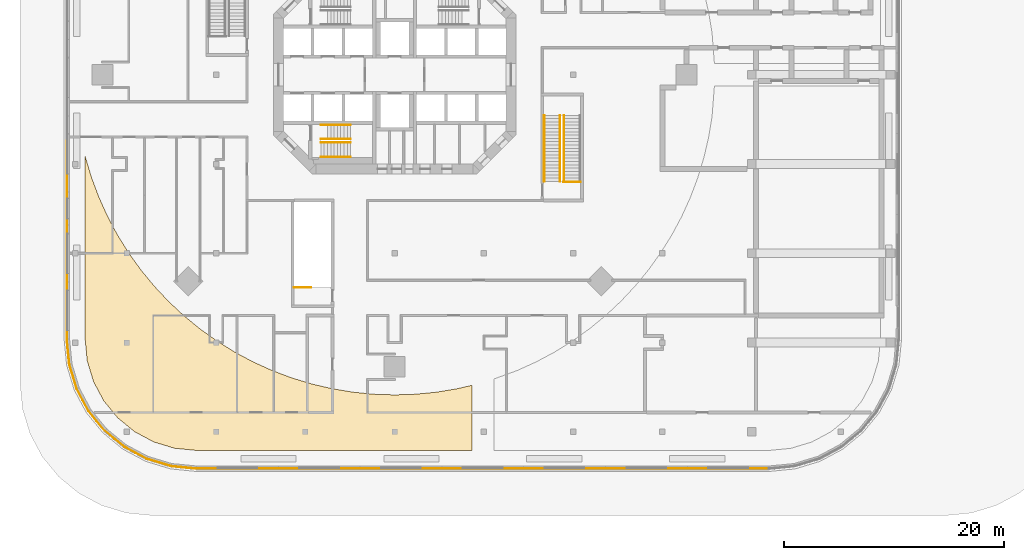
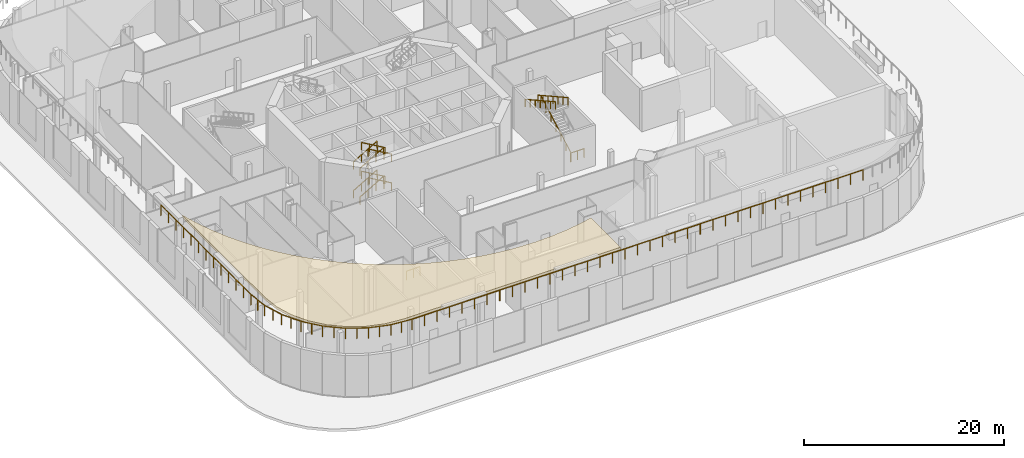
# One storey, part 15 of 17: 33 railings, 1 covering, 1 element without a shape of its own.
"""IFC4 building model written with IfcOpenShell, lengths in metres."""

import ifcopenshell
import ifcopenshell.guid

model = None  # the IFC model being written
_history = None  # IfcOwnerHistory: only IFC2X3 demands one
_inside = {}  # id of a spatial element -> (the spatial element, [elements in it])
_under = {}  # id of a project, library or spatial element -> (it, [spatial elements below it])
_declared = {}  # id of a project -> (the project, [libraries it declares])
_typed = {}  # id of a type object -> (the type object, [elements of that type])
_made_of = {}  # id of a material, layer set ... -> (it, [elements and type objects made of it])


def new_model(schema):
    """Start an empty IFC model of exactly this schema.

    Asked for "IFC4X3", IfcOpenShell would pick the latest addendum, in which some entities
    have other attributes; the version numbers below select the first issue.
    IFC2X3 requires an IfcOwnerHistory on every rooted entity: one is made here for all.
    """
    global model, _history
    if schema == "IFC4X3":
        model = ifcopenshell.file(schema_version=(4, 3, 0, 0))
    else:
        model = ifcopenshell.file(schema=schema)
    _inside.clear()
    _under.clear()
    _declared.clear()
    _typed.clear()
    _made_of.clear()
    _history = None
    if model.schema == "IFC2X3":
        org = make("IfcOrganization", Name="unknown")
        user = make(
            "IfcPersonAndOrganization",
            ThePerson=make("IfcPerson", FamilyName="unknown"),
            TheOrganization=org,
        )
        app = make(
            "IfcApplication",
            ApplicationDeveloper=org,
            Version="unknown",
            ApplicationFullName="unknown",
            ApplicationIdentifier="unknown",
        )
        _history = make(
            "IfcOwnerHistory",
            OwningUser=user,
            OwningApplication=app,
            ChangeAction="ADDED",
            CreationDate=0,
        )
    return model


def make(cls, **values):
    """One entity of the class cls with the attributes given. An attribute that is None is left unset."""
    return model.create_entity(
        cls, **{name: value for name, value in values.items() if value is not None}
    )


def rooted(cls, **values):
    """An entity with a GlobalId (a new one), such as an element, a storey or a relation."""
    return make(cls, GlobalId=ifcopenshell.guid.new(), OwnerHistory=_history, **values)


def si_unit(unit_type, name, prefix=None):
    """IfcSIUnit, for example si_unit("LENGTHUNIT", "METRE", prefix="MILLI")."""
    return make("IfcSIUnit", UnitType=unit_type, Prefix=prefix, Name=name)


def assignment(units):
    """IfcUnitAssignment: the units of a project."""
    return None if units is None else make("IfcUnitAssignment", Units=units)


def point(xyz):
    """IfcCartesianPoint."""
    return None if xyz is None else make("IfcCartesianPoint", Coordinates=xyz)


def direction(xyz):
    """IfcDirection."""
    return None if xyz is None else make("IfcDirection", DirectionRatios=xyz)


def frame(location, z_axis=None, x_axis=None):
    """IfcAxis2Placement3D, a coordinate frame: its origin and axes. An axis left out is left unset."""
    return make(
        "IfcAxis2Placement3D",
        Location=point(location),
        Axis=direction(z_axis),
        RefDirection=direction(x_axis),
    )


def frame_2d(location, x_axis=None):
    """IfcAxis2Placement2D, a coordinate frame in the plane: its origin and x axis."""
    return make(
        "IfcAxis2Placement2D", Location=point(location), RefDirection=direction(x_axis)
    )


def origin():
    """The frame at (0, 0, 0) with its axes left unset."""
    return frame((0.0, 0.0, 0.0))


def origin_2d():
    """The frame at (0, 0) in the plane with its x axis left unset."""
    return frame_2d((0.0, 0.0))


def place(relative_to, where):
    """IfcLocalPlacement: puts the frame where relative to a parent placement (None: the world)."""
    return make(
        "IfcLocalPlacement", PlacementRelTo=relative_to, RelativePlacement=where
    )


def context(
    kind, dimensions, precision=None, world=None, true_north=None, identifier=None
):
    """IfcGeometricRepresentationContext, for example the 3D "Model" context."""
    return make(
        "IfcGeometricRepresentationContext",
        ContextIdentifier=identifier,
        ContextType=kind,
        CoordinateSpaceDimension=dimensions,
        Precision=precision,
        WorldCoordinateSystem=world,
        TrueNorth=true_north,
    )


def subcontext(parent, identifier, kind, view, scale=None):
    """IfcGeometricRepresentationSubContext, for example "Body" below "Model"."""
    return make(
        "IfcGeometricRepresentationSubContext",
        ContextIdentifier=identifier,
        ContextType=kind,
        ParentContext=parent,
        TargetScale=scale,
        TargetView=view,
    )


def project(units=None, contexts=None):
    """IfcProject with its units and contexts."""
    return rooted(
        "IfcProject",
        Name="project",
        RepresentationContexts=contexts,
        UnitsInContext=assignment(units),
    )


def spatial(cls, under=None, at=None, **own):
    """A site, building, storey or space (cls), placed at a placement, below another one or the project."""
    s = rooted(cls, ObjectPlacement=at, **own)
    if under is not None:
        _under.setdefault(under.id(), (under, []))[1].append(s)
    return s


def polyline(points):
    """IfcPolyline through the points."""
    return make("IfcPolyline", Points=[point(p) for p in points])


def profile(cls, at=None, kind="AREA", **sizes):
    """A parametric profile (cls). Its sizes go by their IFC names, for example OverallWidth=200.0."""
    return make(cls, ProfileType=kind, Position=at, **sizes)


def rectangle(**sizes):
    """IfcRectangleProfileDef."""
    return profile("IfcRectangleProfileDef", **sizes)


def outline(outer, holes=None, kind="AREA"):
    """IfcArbitraryClosedProfileDef: a profile drawn as a closed curve; with holes, ...WithVoids."""
    if holes is None:
        return make("IfcArbitraryClosedProfileDef", ProfileType=kind, OuterCurve=outer)
    return make(
        "IfcArbitraryProfileDefWithVoids",
        ProfileType=kind,
        OuterCurve=outer,
        InnerCurves=holes,
    )


def extrude(swept, where, along, depth):
    """IfcExtrudedAreaSolid: the profile swept, set in the frame where, extruded along a direction by depth."""
    return make(
        "IfcExtrudedAreaSolid",
        SweptArea=swept,
        Position=where,
        ExtrudedDirection=direction(along),
        Depth=depth,
    )


def shape(context_of_items, identifier, shape_type, items):
    """IfcShapeRepresentation: the items that make up one representation, for example the "Body"."""
    return make(
        "IfcShapeRepresentation",
        ContextOfItems=context_of_items,
        RepresentationIdentifier=identifier,
        RepresentationType=shape_type,
        Items=items,
    )


def material(Name=None, Category=None):
    """IfcMaterial."""
    return make("IfcMaterial", Name=Name, Category=Category)


def layer(
    of_material, thickness, ventilated=None, Name=None, Category=None, Priority=None
):
    """IfcMaterialLayer: one layer of a wall or slab, of a material (None: an air gap)."""
    return make(
        "IfcMaterialLayer",
        Material=of_material,
        LayerThickness=thickness,
        IsVentilated=ventilated,
        Name=Name,
        Category=Category,
        Priority=Priority,
    )


def layer_set(layers, Name=None):
    """IfcMaterialLayerSet."""
    return make("IfcMaterialLayerSet", MaterialLayers=layers, LayerSetName=Name)


def made_of(thing, what):
    """Note that an element or type object is made of a material, layer set ...; save() writes the relation."""
    if what is not None:
        _made_of.setdefault(what.id(), (what, []))[1].append(thing)
    return thing


def type_object(cls, material=None, **own):
    """A type object (cls), such as IfcWallType, which elements share."""
    return made_of(rooted(cls, **own), material)


def element(
    cls,
    number,
    at=None,
    inside=None,
    cuts=None,
    type_object=None,
    material=None,
    context=None,
    identifier="Body",
    shape_type=None,
    held_by="IfcProductDefinitionShape",
    body=None,
    shapes=None,
    **own,
):
    """One element of the class cls, such as IfcWall. Its Tag is "e" and its number.

    at: its placement. inside: the storey or other place that contains it. cuts: it is an
    opening in that element (IfcRelVoidsElement). A single representation is given by context,
    identifier, shape_type and body (its items); several are given by shapes. held_by: the class
    of the entity that holds the representations. save() writes the other relations.
    """
    e = rooted(cls, Tag="e%d" % number, ObjectPlacement=at, **own)
    if body is not None:
        shapes = [shape(context, identifier, shape_type, body)]
    if shapes is not None:
        e.Representation = make(held_by, Representations=shapes)
    if inside is not None:
        _inside.setdefault(inside.id(), (inside, []))[1].append(e)
    if cuts is not None:
        rooted(
            "IfcRelVoidsElement", RelatingBuildingElement=cuts, RelatedOpeningElement=e
        )
    if type_object is not None:
        _typed.setdefault(type_object.id(), (type_object, []))[1].append(e)
    return made_of(e, material)


def aggregate(whole, parts):
    """IfcRelAggregates: a whole, such as a stair, and the parts it consists of."""
    return rooted("IfcRelAggregates", RelatingObject=whole, RelatedObjects=parts)


def save(model, path):
    """Write the relations noted so far, then the file.

    IfcRelAggregates (storeys below a building ...), IfcRelContainedInSpatialStructure (elements
    in a storey), IfcRelDefinesByType, IfcRelAssociatesMaterial and IfcRelDeclares: one each for
    every whole, place, type object, material and project.
    """
    for whole, parts in _under.values():
        aggregate(whole, parts)
    for where, things in _inside.values():
        rooted(
            "IfcRelContainedInSpatialStructure",
            RelatedElements=things,
            RelatingStructure=where,
        )
    for kind, things in _typed.values():
        rooted("IfcRelDefinesByType", RelatedObjects=things, RelatingType=kind)
    for what, things in _made_of.values():
        rooted("IfcRelAssociatesMaterial", RelatedObjects=things, RelatingMaterial=what)
    for by, libraries in _declared.values():
        rooted("IfcRelDeclares", RelatingContext=by, RelatedDefinitions=libraries)
    model.write(path)


model = new_model("IFC4")

# Units and contexts
model_context = context("Model", 3, precision=1e-05, world=origin(), true_north=direction((0.0, 1.0)))
body_context = subcontext(model_context, "Body", "Model", "MODEL_VIEW")
ifc_project = project(units=[si_unit("LENGTHUNIT", "METRE"), si_unit("AREAUNIT", "SQUARE_METRE"), si_unit("VOLUMEUNIT", "CUBIC_METRE"), si_unit("PLANEANGLEUNIT", "RADIAN"), si_unit("MASSUNIT", "GRAM", prefix="KILO")], contexts=[model_context])

# Site, building, storey
site_placement = place(None, origin())
site = spatial("IfcSite", under=ifc_project, at=site_placement, CompositionType="ELEMENT")
building_placement = place(site_placement, origin())
building = spatial("IfcBuilding", under=site, at=building_placement, Name="Torre Triforio", CompositionType="ELEMENT")
storey_placement = place(building_placement, frame((0.0, 0.0, 13.0)))
storey = spatial("IfcBuildingStorey", under=building, at=storey_placement, Name="L02", CompositionType="ELEMENT", Elevation=13.0)

# Railings
ifc_material_1 = material(Name="Stainless steel AISI 316", Category="steel")
railing_type_1 = type_object("IfcRailingType", Name="HANDRAIL 920", PredefinedType="HANDRAIL", material=ifc_material_1)
for number, where, name in (
    (1, (-6.699951171875, -4.550048828125, 0.175048828125), "Handrail ST3"),
    (2, (-6.699951171875, -5.85009765625, 0.175048828125), "Handrail ST3"),
):
    element("IfcRailing", number, at=place(storey_placement, frame(where)), inside=storey, type_object=railing_type_1, Name=name, PredefinedType="HANDRAIL", context=body_context, shape_type="SweptSolid", body=[
        extrude(rectangle(XDim=0.048095703125, YDim=0.048095703125, at=origin_2d()), frame((0.0, 0.0, 0.89599609375), z_axis=(0.863781733769, 0.0, 0.503866169142), x_axis=(0.0, 1.0, 0.0)), (0.0, 0.0, 1.0), 3.125732421875),
        extrude(rectangle(XDim=0.0419921875, YDim=0.0419921875, at=origin_2d()), origin(), (0.0, 0.0, 1.0), 0.871826171875),
        extrude(rectangle(XDim=0.0419921875, YDim=0.0419921875, at=origin_2d()), frame((0.89990234375, 0.0, 0.52490234375)), (0.0, 0.0, 1.0), 0.871826171875),
        extrude(rectangle(XDim=0.0419921875, YDim=0.0419921875, at=origin_2d()), frame((1.800048828125, 0.0, 1.050048828125)), (0.0, 0.0, 1.0), 0.871826171875),
        extrude(rectangle(XDim=0.0419921875, YDim=0.0419921875, at=origin_2d()), frame((2.699951171875, 0.0, 1.574951171875)), (0.0, 0.0, 1.0), 0.871826171875),
    ])
for number, where, name in (
    (3, (-4.0, -7.449951171875, 1.925048828125), "Handrail ST3"),
    (4, (-4.0, -6.14990234375, 1.925048828125), "Handrail ST3"),
):
    element("IfcRailing", number, at=place(storey_placement, frame(where)), inside=storey, type_object=railing_type_1, Name=name, PredefinedType="HANDRAIL", context=body_context, shape_type="SweptSolid", body=[
        extrude(rectangle(XDim=0.048095703125, YDim=0.048095703125, at=origin_2d()), frame((0.0, 0.0, 0.89599609375), z_axis=(-0.863781733769, 0.0, 0.503866169142), x_axis=(0.0, -1.0, 0.0)), (0.0, 0.0, 1.0), 3.125732421875),
        extrude(rectangle(XDim=0.0419921875, YDim=0.0419921875, at=origin_2d()), origin(), (0.0, 0.0, 1.0), 0.871826171875),
        extrude(rectangle(XDim=0.0419921875, YDim=0.0419921875, at=origin_2d()), frame((-0.89990234375, 0.0, 0.52490234375)), (0.0, 0.0, 1.0), 0.871826171875),
        extrude(rectangle(XDim=0.0419921875, YDim=0.0419921875, at=origin_2d()), frame((-1.800048828125, 0.0, 1.050048828125)), (0.0, 0.0, 1.0), 0.871826171875),
        extrude(rectangle(XDim=0.0419921875, YDim=0.0419921875, at=origin_2d()), frame((-2.699951171875, 0.0, 1.574951171875)), (0.0, 0.0, 1.0), 0.871826171875),
    ])
for number, where, name in (
    (5, (-6.699951171875, -4.550048828125, 3.675048828125), "Handrail ST3"),
    (6, (-6.699951171875, -5.85009765625, 3.675048828125), "Handrail ST3"),
):
    element("IfcRailing", number, at=place(storey_placement, frame(where)), inside=storey, type_object=railing_type_1, Name=name, PredefinedType="HANDRAIL", context=body_context, shape_type="SweptSolid", body=[
        extrude(rectangle(XDim=0.048095703125, YDim=0.048095703125, at=origin_2d()), frame((0.0, 0.0, 0.89599609375), z_axis=(0.863781733769, 0.0, 0.503866169142), x_axis=(0.0, 1.0, 0.0)), (0.0, 0.0, 1.0), 3.125732421875),
        extrude(rectangle(XDim=0.0419921875, YDim=0.0419921875, at=origin_2d()), origin(), (0.0, 0.0, 1.0), 0.871826171875),
        extrude(rectangle(XDim=0.0419921875, YDim=0.0419921875, at=origin_2d()), frame((0.89990234375, 0.0, 0.52490234375)), (0.0, 0.0, 1.0), 0.871826171875),
        extrude(rectangle(XDim=0.0419921875, YDim=0.0419921875, at=origin_2d()), frame((1.800048828125, 0.0, 1.050048828125)), (0.0, 0.0, 1.0), 0.871826171875),
        extrude(rectangle(XDim=0.0419921875, YDim=0.0419921875, at=origin_2d()), frame((2.699951171875, 0.0, 1.574951171875)), (0.0, 0.0, 1.0), 0.871826171875),
    ])
for number, where, name in (
    (7, (-4.0, -7.449951171875, 5.425048828125), "Handrail ST3"),
    (8, (-4.0, -6.14990234375, 5.425048828125), "Handrail ST3"),
):
    element("IfcRailing", number, at=place(storey_placement, frame(where)), inside=storey, type_object=railing_type_1, Name=name, PredefinedType="HANDRAIL", context=body_context, shape_type="SweptSolid", body=[
        extrude(rectangle(XDim=0.048095703125, YDim=0.048095703125, at=origin_2d()), frame((0.0, 0.0, 0.89599609375), z_axis=(-0.863781733769, 0.0, 0.503866169142), x_axis=(0.0, -1.0, 0.0)), (0.0, 0.0, 1.0), 3.125732421875),
        extrude(rectangle(XDim=0.0419921875, YDim=0.0419921875, at=origin_2d()), origin(), (0.0, 0.0, 1.0), 0.871826171875),
        extrude(rectangle(XDim=0.0419921875, YDim=0.0419921875, at=origin_2d()), frame((-0.89990234375, 0.0, 0.52490234375)), (0.0, 0.0, 1.0), 0.871826171875),
        extrude(rectangle(XDim=0.0419921875, YDim=0.0419921875, at=origin_2d()), frame((-1.800048828125, 0.0, 1.050048828125)), (0.0, 0.0, 1.0), 0.871826171875),
        extrude(rectangle(XDim=0.0419921875, YDim=0.0419921875, at=origin_2d()), frame((-2.699951171875, 0.0, 1.574951171875)), (0.0, 0.0, 1.0), 0.871826171875),
    ])

# Covering
ifc_material_2 = material(Name="Planted topsoil bed")
ifc_layer = layer(ifc_material_2, 0.300048828125)
ifc_layer_set = layer_set([ifc_layer], Name="Planted topsoil bed")
covering_type = type_object("IfcCoveringType", Name="Planted bed 300", PredefinedType="FLOORING", material=ifc_layer_set)
covering_placement = place(storey_placement, frame((0.0, 0.0, 7.0)))
element("IfcCovering", 9, at=covering_placement, inside=storey, type_object=covering_type, Name="Terrace T3 planted bed 1", PredefinedType="FLOORING", context=body_context, shape_type="SweptSolid", body=[
    extrude(outline(polyline([(-21.861572265625, -33.32275390625), (-23.606201171875, -32.39013671875), (-25.13525390625, -31.13525390625), (-26.39013671875, -29.606201171875), (-27.32275390625, -27.861572265625), (-27.89697265625, -25.968505859375), (-28.10009765625, -23.90673828125), (-28.10009765625, -7.3525390625), (-27.50927734375, -9.338134765625), (-26.839599609375, -11.117431640625), (-26.05517578125, -12.84912109375), (-25.158935546875, -14.525390625), (-24.155029296875, -16.139892578125), (-23.0478515625, -17.685302734375), (-21.841796875, -19.15478515625), (-20.542236328125, -20.542236328125), (-19.15478515625, -21.841796875), (-17.685302734375, -23.0478515625), (-16.139892578125, -24.155029296875), (-14.525390625, -25.158935546875), (-12.84912109375, -26.05517578125), (-11.117431640625, -26.839599609375), (-9.338134765625, -27.50927734375), (-7.51904296875, -28.061279296875), (-5.66748046875, -28.492919921875), (-3.7919921875, -28.802490234375), (-1.89990234375, -28.989013671875), (0.0, -29.051025390625), (1.89990234375, -28.989013671875), (3.7919921875, -28.802490234375), (5.66748046875, -28.492919921875), (7.0, -28.18212890625), (7.0, -34.10009765625), (-17.90673828125, -34.10009765625), (-19.968505859375, -33.89697265625), (-21.861572265625, -33.32275390625)])), origin(), (0.0, 0.0, 1.0), 0.300048828125),
])

# Stair, railings
ifc_material_3 = material(Name="Concrete C40", Category="concrete")
stair_type = type_object("IfcStairType", Name="Egress stair 1400 clear", PredefinedType="NOTDEFINED", material=ifc_material_3)
stair_placement = place(storey_placement, origin())
stair = element("IfcStair", 10, at=stair_placement, inside=storey, type_object=stair_type, Name="Exit stair PS2 L02 to L03", PredefinedType="NOTDEFINED")
railing_type_2 = type_object("IfcRailingType", Name="Stair handrail 920", PredefinedType="HANDRAIL", material=ifc_material_1)
railing_1_placement = place(storey_placement, frame((15.375, -9.675048828125, 0.166748046875)))
railing_1 = element("IfcRailing", 11, at=railing_1_placement, type_object=railing_type_2, Name="Handrail PS2", PredefinedType="HANDRAIL", context=body_context, shape_type="SweptSolid", body=[
    extrude(rectangle(XDim=0.048095703125, YDim=0.048095703125, at=origin_2d()), frame((0.0, 0.0, 0.89599609375), z_axis=(0.0, 0.874162309531, 0.485633870932), x_axis=(-1.0, 0.0, 0.0)), (0.0, 0.0, 1.0), 6.86376953125),
    extrude(rectangle(XDim=0.0419921875, YDim=0.0419921875, at=origin_2d()), origin(), (0.0, 0.0, 1.0), 0.871826171875),
    extrude(rectangle(XDim=0.0419921875, YDim=0.0419921875, at=origin_2d()), frame((0.0, 1.0, 0.5556640625)), (0.0, 0.0, 1.0), 0.871826171875),
    extrude(rectangle(XDim=0.0419921875, YDim=0.0419921875, at=origin_2d()), frame((0.0, 2.0, 1.111083984375)), (0.0, 0.0, 1.0), 0.871826171875),
    extrude(rectangle(XDim=0.0419921875, YDim=0.0419921875, at=origin_2d()), frame((0.0, 3.0, 1.66650390625)), (0.0, 0.0, 1.0), 0.871826171875),
    extrude(rectangle(XDim=0.0419921875, YDim=0.0419921875, at=origin_2d()), frame((0.0, 4.0, 2.22216796875)), (0.0, 0.0, 1.0), 0.871826171875),
    extrude(rectangle(XDim=0.0419921875, YDim=0.0419921875, at=origin_2d()), frame((0.0, 5.0, 2.77783203125)), (0.0, 0.0, 1.0), 0.871826171875),
    extrude(rectangle(XDim=0.0419921875, YDim=0.0419921875, at=origin_2d()), frame((0.0, 6.0, 3.333251953125)), (0.0, 0.0, 1.0), 0.871826171875),
])
railing_2_placement = place(storey_placement, frame((13.574951171875, -3.675048828125, 3.666748046875)))
railing_2 = element("IfcRailing", 12, at=railing_2_placement, type_object=railing_type_2, Name="Handrail PS2", PredefinedType="HANDRAIL", context=body_context, shape_type="SweptSolid", body=[
    extrude(rectangle(XDim=0.048095703125, YDim=0.048095703125, at=origin_2d()), frame((0.0, 0.0, 0.89599609375), z_axis=(0.0, -0.874162309531, 0.485633870932), x_axis=(1.0, 0.0, 0.0)), (0.0, 0.0, 1.0), 6.86376953125),
    extrude(rectangle(XDim=0.0419921875, YDim=0.0419921875, at=origin_2d()), origin(), (0.0, 0.0, 1.0), 0.871826171875),
    extrude(rectangle(XDim=0.0419921875, YDim=0.0419921875, at=origin_2d()), frame((0.0, -1.0, 0.5556640625)), (0.0, 0.0, 1.0), 0.871826171875),
    extrude(rectangle(XDim=0.0419921875, YDim=0.0419921875, at=origin_2d()), frame((0.0, -2.0, 1.111083984375)), (0.0, 0.0, 1.0), 0.871826171875),
    extrude(rectangle(XDim=0.0419921875, YDim=0.0419921875, at=origin_2d()), frame((0.0, -3.0, 1.66650390625)), (0.0, 0.0, 1.0), 0.871826171875),
    extrude(rectangle(XDim=0.0419921875, YDim=0.0419921875, at=origin_2d()), frame((0.0, -4.0, 2.22216796875)), (0.0, 0.0, 1.0), 0.871826171875),
    extrude(rectangle(XDim=0.0419921875, YDim=0.0419921875, at=origin_2d()), frame((0.0, -5.0, 2.77783203125)), (0.0, 0.0, 1.0), 0.871826171875),
    extrude(rectangle(XDim=0.0419921875, YDim=0.0419921875, at=origin_2d()), frame((0.0, -6.0, 3.333251953125)), (0.0, 0.0, 1.0), 0.871826171875),
])
railing_3_placement = place(storey_placement, frame((15.02490234375, -3.675048828125, 3.666748046875)))
railing_3 = element("IfcRailing", 13, at=railing_3_placement, type_object=railing_type_2, Name="Handrail PS2", PredefinedType="HANDRAIL", context=body_context, shape_type="SweptSolid", body=[
    extrude(rectangle(XDim=0.048095703125, YDim=0.048095703125, at=origin_2d()), frame((0.0, 0.0, 0.89599609375), z_axis=(0.0, -0.874162309531, 0.485633870932), x_axis=(1.0, 0.0, 0.0)), (0.0, 0.0, 1.0), 6.86376953125),
    extrude(rectangle(XDim=0.0419921875, YDim=0.0419921875, at=origin_2d()), origin(), (0.0, 0.0, 1.0), 0.871826171875),
    extrude(rectangle(XDim=0.0419921875, YDim=0.0419921875, at=origin_2d()), frame((0.0, -1.0, 0.5556640625)), (0.0, 0.0, 1.0), 0.871826171875),
    extrude(rectangle(XDim=0.0419921875, YDim=0.0419921875, at=origin_2d()), frame((0.0, -2.0, 1.111083984375)), (0.0, 0.0, 1.0), 0.871826171875),
    extrude(rectangle(XDim=0.0419921875, YDim=0.0419921875, at=origin_2d()), frame((0.0, -3.0, 1.66650390625)), (0.0, 0.0, 1.0), 0.871826171875),
    extrude(rectangle(XDim=0.0419921875, YDim=0.0419921875, at=origin_2d()), frame((0.0, -4.0, 2.22216796875)), (0.0, 0.0, 1.0), 0.871826171875),
    extrude(rectangle(XDim=0.0419921875, YDim=0.0419921875, at=origin_2d()), frame((0.0, -5.0, 2.77783203125)), (0.0, 0.0, 1.0), 0.871826171875),
    extrude(rectangle(XDim=0.0419921875, YDim=0.0419921875, at=origin_2d()), frame((0.0, -6.0, 3.333251953125)), (0.0, 0.0, 1.0), 0.871826171875),
])
aggregate(stair, [railing_1, railing_2, railing_3])

# Railings
railing_type_3 = type_object("IfcRailingType", Name="Stair well guard 1100", PredefinedType="GUARDRAIL", material=ifc_material_1)
for number, where, name in (
    (14, (15.324951171875, -9.72509765625, 0.0), "Guard PS2 L02"),
    (15, (-9.125, -19.324951171875, 0.0), "Guard PS3 L02"),
):
    element("IfcRailing", number, at=place(storey_placement, frame(where)), inside=storey, type_object=railing_type_3, Name=name, PredefinedType="GUARDRAIL", context=body_context, shape_type="SweptSolid", body=[
        extrude(rectangle(XDim=0.048095703125, YDim=0.048095703125, at=origin_2d()), frame((0.0, 0.0, 1.076171875), z_axis=(1.0, 0.0, 0.0), x_axis=(0.0, 1.0, 0.0)), (0.0, 0.0, 1.0), 1.550048828125),
        extrude(rectangle(XDim=0.0419921875, YDim=0.0419921875, at=origin_2d()), origin(), (0.0, 0.0, 1.0), 1.052001953125),
        extrude(rectangle(XDim=0.0419921875, YDim=0.0419921875, at=origin_2d()), frame((0.77490234375, 0.0, 0.0)), (0.0, 0.0, 1.0), 1.052001953125),
        extrude(rectangle(XDim=0.0419921875, YDim=0.0419921875, at=origin_2d()), frame((1.550048828125, 0.0, 0.0)), (0.0, 0.0, 1.0), 1.052001953125),
    ])
railing_type_4 = type_object("IfcRailingType", Name="Terrace balustrade 1300", PredefinedType="BALUSTRADE", material=ifc_material_1)
railing_4_placement = place(storey_placement, frame((-29.75, -5.996826171875, 7.0)))
element("IfcRailing", 16, at=railing_4_placement, inside=storey, type_object=railing_type_4, Name="Terrace T3 balustrade 27.6", PredefinedType="BALUSTRADE", context=body_context, shape_type="SweptSolid", body=[
    extrude(rectangle(XDim=0.050048828125, YDim=0.050048828125, at=origin_2d()), frame((0.0, 0.0, 1.27490234375), z_axis=(0.0, -1.0, 0.0), x_axis=(1.0, 0.0, 0.0)), (0.0, 0.0, 1.0), 5.9970703125),
    extrude(rectangle(XDim=0.0400390625, YDim=0.0400390625, at=origin_2d()), origin(), (0.0, 0.0, 1.0), 1.25),
    extrude(rectangle(XDim=0.0400390625, YDim=0.0400390625, at=origin_2d()), frame((0.0, -1.499267578125, 0.0)), (0.0, 0.0, 1.0), 1.25),
    extrude(rectangle(XDim=0.0400390625, YDim=0.0400390625, at=origin_2d()), frame((0.0, -2.99853515625, 0.0)), (0.0, 0.0, 1.0), 1.25),
    extrude(rectangle(XDim=0.0400390625, YDim=0.0400390625, at=origin_2d()), frame((0.0, -4.497802734375, 0.0)), (0.0, 0.0, 1.0), 1.25),
    extrude(rectangle(XDim=0.0400390625, YDim=0.0400390625, at=origin_2d()), frame((0.0, -5.9970703125, 0.0)), (0.0, 0.0, 1.0), 1.25),
])
railing_5_placement = place(storey_placement, frame((-29.75, -11.993896484375, 7.0)))
element("IfcRailing", 17, at=railing_5_placement, inside=storey, type_object=railing_type_4, Name="Terrace T3 balustrade 27.7", PredefinedType="BALUSTRADE", context=body_context, shape_type="SweptSolid", body=[
    extrude(rectangle(XDim=0.050048828125, YDim=0.050048828125, at=origin_2d()), frame((0.0, 0.0, 1.27490234375), z_axis=(0.0, -1.0, 0.0), x_axis=(1.0, 0.0, 0.0)), (0.0, 0.0, 1.0), 5.996826171875),
    extrude(rectangle(XDim=0.0400390625, YDim=0.0400390625, at=origin_2d()), origin(), (0.0, 0.0, 1.0), 1.25),
    extrude(rectangle(XDim=0.0400390625, YDim=0.0400390625, at=origin_2d()), frame((0.0, -1.499267578125, 0.0)), (0.0, 0.0, 1.0), 1.25),
    extrude(rectangle(XDim=0.0400390625, YDim=0.0400390625, at=origin_2d()), frame((0.0, -2.99853515625, 0.0)), (0.0, 0.0, 1.0), 1.25),
    extrude(rectangle(XDim=0.0400390625, YDim=0.0400390625, at=origin_2d()), frame((0.0, -4.49755859375, 0.0)), (0.0, 0.0, 1.0), 1.25),
    extrude(rectangle(XDim=0.0400390625, YDim=0.0400390625, at=origin_2d()), frame((0.0, -5.996826171875, 0.0)), (0.0, 0.0, 1.0), 1.25),
])
railing_6_placement = place(storey_placement, frame((-29.75, -17.99072265625, 7.0)))
element("IfcRailing", 18, at=railing_6_placement, inside=storey, type_object=railing_type_4, Name="Terrace T3 balustrade 27.8", PredefinedType="BALUSTRADE", context=body_context, shape_type="SweptSolid", body=[
    extrude(rectangle(XDim=0.050048828125, YDim=0.050048828125, at=origin_2d()), frame((0.0, 0.0, 1.27490234375), z_axis=(0.0, -1.0, 0.0), x_axis=(1.0, 0.0, 0.0)), (0.0, 0.0, 1.0), 5.9970703125),
    extrude(rectangle(XDim=0.0400390625, YDim=0.0400390625, at=origin_2d()), origin(), (0.0, 0.0, 1.0), 1.25),
    extrude(rectangle(XDim=0.0400390625, YDim=0.0400390625, at=origin_2d()), frame((0.0, -1.499267578125, 0.0)), (0.0, 0.0, 1.0), 1.25),
    extrude(rectangle(XDim=0.0400390625, YDim=0.0400390625, at=origin_2d()), frame((0.0, -2.99853515625, 0.0)), (0.0, 0.0, 1.0), 1.25),
    extrude(rectangle(XDim=0.0400390625, YDim=0.0400390625, at=origin_2d()), frame((0.0, -4.497802734375, 0.0)), (0.0, 0.0, 1.0), 1.25),
    extrude(rectangle(XDim=0.0400390625, YDim=0.0400390625, at=origin_2d()), frame((0.0, -5.9970703125, 0.0)), (0.0, 0.0, 1.0), 1.25),
])
railing_7_placement = place(storey_placement, frame((-29.75, -23.98779296875, 7.0)))
element("IfcRailing", 19, at=railing_7_placement, inside=storey, type_object=railing_type_4, Name="Terrace T3 balustrade 28", PredefinedType="BALUSTRADE", context=body_context, shape_type="SweptSolid", body=[
    extrude(rectangle(XDim=0.050048828125, YDim=0.050048828125, at=origin_2d()), frame((0.0, 0.0, 1.27490234375), z_axis=(0.098062895086, -0.99518021916, 0.0), x_axis=(0.99518021916, 0.098062895086, 0.0)), (0.0, 0.0, 1.0), 2.3154296875),
    extrude(rectangle(XDim=0.0400390625, YDim=0.0400390625, at=origin_2d()), origin(), (0.0, 0.0, 1.0), 1.25),
    extrude(rectangle(XDim=0.0400390625, YDim=0.0400390625, at=origin_2d()), frame((0.113525390625, -1.152099609375, 0.0)), (0.0, 0.0, 1.0), 1.25),
    extrude(rectangle(XDim=0.0400390625, YDim=0.0400390625, at=origin_2d()), frame((0.22705078125, -2.30419921875, 0.0)), (0.0, 0.0, 1.0), 1.25),
])
railing_8_placement = place(storey_placement, frame((-29.52294921875, -26.2919921875, 7.0)))
element("IfcRailing", 20, at=railing_8_placement, inside=storey, type_object=railing_type_4, Name="Terrace T3 balustrade 29", PredefinedType="BALUSTRADE", context=body_context, shape_type="SweptSolid", body=[
    extrude(rectangle(XDim=0.050048828125, YDim=0.050048828125, at=origin_2d()), frame((0.0, 0.0, 1.27490234375), z_axis=(0.290225091232, -0.956958408929, 0.0), x_axis=(0.956958408929, 0.290225091232, 0.0)), (0.0, 0.0, 1.0), 2.30322265625),
    extrude(rectangle(XDim=0.0400390625, YDim=0.0400390625, at=origin_2d()), origin(), (0.0, 0.0, 1.0), 1.25),
    extrude(rectangle(XDim=0.0400390625, YDim=0.0400390625, at=origin_2d()), frame((0.334228515625, -1.10205078125, 0.0)), (0.0, 0.0, 1.0), 1.25),
    extrude(rectangle(XDim=0.0400390625, YDim=0.0400390625, at=origin_2d()), frame((0.66845703125, -2.2041015625, 0.0)), (0.0, 0.0, 1.0), 1.25),
])
railing_9_placement = place(storey_placement, frame((-28.8544921875, -28.49609375, 7.0)))
element("IfcRailing", 21, at=railing_9_placement, inside=storey, type_object=railing_type_4, Name="Terrace T3 balustrade 30", PredefinedType="BALUSTRADE", context=body_context, shape_type="SweptSolid", body=[
    extrude(rectangle(XDim=0.050048828125, YDim=0.050048828125, at=origin_2d()), frame((0.0, 0.0, 1.27490234375), z_axis=(0.471385800251, -0.881927109982, 0.0), x_axis=(0.881927109982, 0.471385800251, 0.0)), (0.0, 0.0, 1.0), 2.30322265625),
    extrude(rectangle(XDim=0.0400390625, YDim=0.0400390625, at=origin_2d()), origin(), (0.0, 0.0, 1.0), 1.25),
    extrude(rectangle(XDim=0.0400390625, YDim=0.0400390625, at=origin_2d()), frame((0.54296875, -1.015625, 0.0)), (0.0, 0.0, 1.0), 1.25),
    extrude(rectangle(XDim=0.0400390625, YDim=0.0400390625, at=origin_2d()), frame((1.085693359375, -2.03125, 0.0)), (0.0, 0.0, 1.0), 1.25),
])
railing_10_placement = place(storey_placement, frame((-27.768798828125, -30.52734375, 7.0)))
element("IfcRailing", 22, at=railing_10_placement, inside=storey, type_object=railing_type_4, Name="Terrace T3 balustrade 31", PredefinedType="BALUSTRADE", context=body_context, shape_type="SweptSolid", body=[
    extrude(rectangle(XDim=0.050048828125, YDim=0.050048828125, at=origin_2d()), frame((0.0, 0.0, 1.27490234375), z_axis=(0.634431938273, -0.772978729137, 0.0), x_axis=(0.772978729137, 0.634431938273, 0.0)), (0.0, 0.0, 1.0), 2.30322265625),
    extrude(rectangle(XDim=0.0400390625, YDim=0.0400390625, at=origin_2d()), origin(), (0.0, 0.0, 1.0), 1.25),
    extrude(rectangle(XDim=0.0400390625, YDim=0.0400390625, at=origin_2d()), frame((0.73046875, -0.89013671875, 0.0)), (0.0, 0.0, 1.0), 1.25),
    extrude(rectangle(XDim=0.0400390625, YDim=0.0400390625, at=origin_2d()), frame((1.461181640625, -1.7802734375, 0.0)), (0.0, 0.0, 1.0), 1.25),
])
railing_11_placement = place(storey_placement, frame((-26.3076171875, -32.3076171875, 7.0)))
element("IfcRailing", 23, at=railing_11_placement, inside=storey, type_object=railing_type_4, Name="Terrace T3 balustrade 32", PredefinedType="BALUSTRADE", context=body_context, shape_type="SweptSolid", body=[
    extrude(rectangle(XDim=0.050048828125, YDim=0.050048828125, at=origin_2d()), frame((0.0, 0.0, 1.27490234375), z_axis=(0.772978729137, -0.634431938273, 0.0), x_axis=(0.634431938273, 0.772978729137, 0.0)), (0.0, 0.0, 1.0), 2.30322265625),
    extrude(rectangle(XDim=0.0400390625, YDim=0.0400390625, at=origin_2d()), origin(), (0.0, 0.0, 1.0), 1.25),
    extrude(rectangle(XDim=0.0400390625, YDim=0.0400390625, at=origin_2d()), frame((0.89013671875, -0.73046875, 0.0)), (0.0, 0.0, 1.0), 1.25),
    extrude(rectangle(XDim=0.0400390625, YDim=0.0400390625, at=origin_2d()), frame((1.7802734375, -1.461181640625, 0.0)), (0.0, 0.0, 1.0), 1.25),
])
railing_12_placement = place(storey_placement, frame((-24.52734375, -33.768798828125, 7.0)))
element("IfcRailing", 24, at=railing_12_placement, inside=storey, type_object=railing_type_4, Name="Terrace T3 balustrade 33", PredefinedType="BALUSTRADE", context=body_context, shape_type="SweptSolid", body=[
    extrude(rectangle(XDim=0.050048828125, YDim=0.050048828125, at=origin_2d()), frame((0.0, 0.0, 1.27490234375), z_axis=(0.881927109982, -0.471385800251, 0.0), x_axis=(0.471385800251, 0.881927109982, 0.0)), (0.0, 0.0, 1.0), 2.30322265625),
    extrude(rectangle(XDim=0.0400390625, YDim=0.0400390625, at=origin_2d()), origin(), (0.0, 0.0, 1.0), 1.25),
    extrude(rectangle(XDim=0.0400390625, YDim=0.0400390625, at=origin_2d()), frame((1.015625, -0.54296875, 0.0)), (0.0, 0.0, 1.0), 1.25),
    extrude(rectangle(XDim=0.0400390625, YDim=0.0400390625, at=origin_2d()), frame((2.03125, -1.085693359375, 0.0)), (0.0, 0.0, 1.0), 1.25),
])
railing_13_placement = place(storey_placement, frame((-22.49609375, -34.8544921875, 7.0)))
element("IfcRailing", 25, at=railing_13_placement, inside=storey, type_object=railing_type_4, Name="Terrace T3 balustrade 34", PredefinedType="BALUSTRADE", context=body_context, shape_type="SweptSolid", body=[
    extrude(rectangle(XDim=0.050048828125, YDim=0.050048828125, at=origin_2d()), frame((0.0, 0.0, 1.27490234375), z_axis=(0.956958408929, -0.290225091232, 0.0), x_axis=(0.290225091232, 0.956958408929, 0.0)), (0.0, 0.0, 1.0), 2.30322265625),
    extrude(rectangle(XDim=0.0400390625, YDim=0.0400390625, at=origin_2d()), origin(), (0.0, 0.0, 1.0), 1.25),
    extrude(rectangle(XDim=0.0400390625, YDim=0.0400390625, at=origin_2d()), frame((1.10205078125, -0.334228515625, 0.0)), (0.0, 0.0, 1.0), 1.25),
    extrude(rectangle(XDim=0.0400390625, YDim=0.0400390625, at=origin_2d()), frame((2.2041015625, -0.66845703125, 0.0)), (0.0, 0.0, 1.0), 1.25),
])
railing_14_placement = place(storey_placement, frame((-20.2919921875, -35.52294921875, 7.0)))
element("IfcRailing", 26, at=railing_14_placement, inside=storey, type_object=railing_type_4, Name="Terrace T3 balustrade 35", PredefinedType="BALUSTRADE", context=body_context, shape_type="SweptSolid", body=[
    extrude(rectangle(XDim=0.050048828125, YDim=0.050048828125, at=origin_2d()), frame((0.0, 0.0, 1.27490234375), z_axis=(0.99518021916, -0.098062895086, 0.0), x_axis=(0.098062895086, 0.99518021916, 0.0)), (0.0, 0.0, 1.0), 2.3154296875),
    extrude(rectangle(XDim=0.0400390625, YDim=0.0400390625, at=origin_2d()), origin(), (0.0, 0.0, 1.0), 1.25),
    extrude(rectangle(XDim=0.0400390625, YDim=0.0400390625, at=origin_2d()), frame((1.152099609375, -0.113525390625, 0.0)), (0.0, 0.0, 1.0), 1.25),
    extrude(rectangle(XDim=0.0400390625, YDim=0.0400390625, at=origin_2d()), frame((2.30419921875, -0.22705078125, 0.0)), (0.0, 0.0, 1.0), 1.25),
])
for number, where, name in (
    (27, (-17.98779296875, -35.75, 7.0), "Terrace T3 balustrade 36.1"),
    (28, (-12.212646484375, -35.75, 7.0), "Terrace T3 balustrade 36.2"),
):
    element("IfcRailing", number, at=place(storey_placement, frame(where)), inside=storey, type_object=railing_type_4, Name=name, PredefinedType="BALUSTRADE", context=body_context, shape_type="SweptSolid", body=[
        extrude(rectangle(XDim=0.050048828125, YDim=0.050048828125, at=origin_2d()), frame((0.0, 0.0, 1.27490234375), z_axis=(1.0, 0.0, 0.0), x_axis=(0.0, 1.0, 0.0)), (0.0, 0.0, 1.0), 5.775146484375),
        extrude(rectangle(XDim=0.0400390625, YDim=0.0400390625, at=origin_2d()), origin(), (0.0, 0.0, 1.0), 1.25),
        extrude(rectangle(XDim=0.0400390625, YDim=0.0400390625, at=origin_2d()), frame((1.44384765625, 0.0, 0.0)), (0.0, 0.0, 1.0), 1.25),
        extrude(rectangle(XDim=0.0400390625, YDim=0.0400390625, at=origin_2d()), frame((2.8876953125, 0.0, 0.0)), (0.0, 0.0, 1.0), 1.25),
        extrude(rectangle(XDim=0.0400390625, YDim=0.0400390625, at=origin_2d()), frame((4.331298828125, 0.0, 0.0)), (0.0, 0.0, 1.0), 1.25),
        extrude(rectangle(XDim=0.0400390625, YDim=0.0400390625, at=origin_2d()), frame((5.775146484375, 0.0, 0.0)), (0.0, 0.0, 1.0), 1.25),
    ])
railing_15_placement = place(storey_placement, frame((-6.4375, -35.75, 7.0)))
element("IfcRailing", 29, at=railing_15_placement, inside=storey, type_object=railing_type_4, Name="Terrace T3 balustrade 36.3", PredefinedType="BALUSTRADE", context=body_context, shape_type="SweptSolid", body=[
    extrude(rectangle(XDim=0.050048828125, YDim=0.050048828125, at=origin_2d()), frame((0.0, 0.0, 1.27490234375), z_axis=(1.0, 0.0, 0.0), x_axis=(0.0, 1.0, 0.0)), (0.0, 0.0, 1.0), 5.77490234375),
    extrude(rectangle(XDim=0.0400390625, YDim=0.0400390625, at=origin_2d()), origin(), (0.0, 0.0, 1.0), 1.25),
    extrude(rectangle(XDim=0.0400390625, YDim=0.0400390625, at=origin_2d()), frame((1.44384765625, 0.0, 0.0)), (0.0, 0.0, 1.0), 1.25),
    extrude(rectangle(XDim=0.0400390625, YDim=0.0400390625, at=origin_2d()), frame((2.887451171875, 0.0, 0.0)), (0.0, 0.0, 1.0), 1.25),
    extrude(rectangle(XDim=0.0400390625, YDim=0.0400390625, at=origin_2d()), frame((4.3310546875, 0.0, 0.0)), (0.0, 0.0, 1.0), 1.25),
    extrude(rectangle(XDim=0.0400390625, YDim=0.0400390625, at=origin_2d()), frame((5.77490234375, 0.0, 0.0)), (0.0, 0.0, 1.0), 1.25),
])
railing_16_placement = place(storey_placement, frame((-0.66259765625, -35.75, 7.0)))
element("IfcRailing", 30, at=railing_16_placement, inside=storey, type_object=railing_type_4, Name="Terrace T3 balustrade 36.4", PredefinedType="BALUSTRADE", context=body_context, shape_type="SweptSolid", body=[
    extrude(rectangle(XDim=0.050048828125, YDim=0.050048828125, at=origin_2d()), frame((0.0, 0.0, 1.27490234375), z_axis=(1.0, 0.0, 0.0), x_axis=(0.0, 1.0, 0.0)), (0.0, 0.0, 1.0), 5.775146484375),
    extrude(rectangle(XDim=0.0400390625, YDim=0.0400390625, at=origin_2d()), origin(), (0.0, 0.0, 1.0), 1.25),
    extrude(rectangle(XDim=0.0400390625, YDim=0.0400390625, at=origin_2d()), frame((1.44384765625, 0.0, 0.0)), (0.0, 0.0, 1.0), 1.25),
    extrude(rectangle(XDim=0.0400390625, YDim=0.0400390625, at=origin_2d()), frame((2.8876953125, 0.0, 0.0)), (0.0, 0.0, 1.0), 1.25),
    extrude(rectangle(XDim=0.0400390625, YDim=0.0400390625, at=origin_2d()), frame((4.331298828125, 0.0, 0.0)), (0.0, 0.0, 1.0), 1.25),
    extrude(rectangle(XDim=0.0400390625, YDim=0.0400390625, at=origin_2d()), frame((5.775146484375, 0.0, 0.0)), (0.0, 0.0, 1.0), 1.25),
])
railing_17_placement = place(storey_placement, frame((5.112548828125, -35.75, 7.0)))
element("IfcRailing", 31, at=railing_17_placement, inside=storey, type_object=railing_type_4, Name="Terrace T3 balustrade 36.5", PredefinedType="BALUSTRADE", context=body_context, shape_type="SweptSolid", body=[
    extrude(rectangle(XDim=0.050048828125, YDim=0.050048828125, at=origin_2d()), frame((0.0, 0.0, 1.27490234375), z_axis=(1.0, 0.0, 0.0), x_axis=(0.0, 1.0, 0.0)), (0.0, 0.0, 1.0), 5.77490234375),
    extrude(rectangle(XDim=0.0400390625, YDim=0.0400390625, at=origin_2d()), origin(), (0.0, 0.0, 1.0), 1.25),
    extrude(rectangle(XDim=0.0400390625, YDim=0.0400390625, at=origin_2d()), frame((1.44384765625, 0.0, 0.0)), (0.0, 0.0, 1.0), 1.25),
    extrude(rectangle(XDim=0.0400390625, YDim=0.0400390625, at=origin_2d()), frame((2.887451171875, 0.0, 0.0)), (0.0, 0.0, 1.0), 1.25),
    extrude(rectangle(XDim=0.0400390625, YDim=0.0400390625, at=origin_2d()), frame((4.3310546875, 0.0, 0.0)), (0.0, 0.0, 1.0), 1.25),
    extrude(rectangle(XDim=0.0400390625, YDim=0.0400390625, at=origin_2d()), frame((5.77490234375, 0.0, 0.0)), (0.0, 0.0, 1.0), 1.25),
])
railing_18_placement = place(storey_placement, frame((10.887451171875, -35.75, 7.0)))
element("IfcRailing", 32, at=railing_18_placement, inside=storey, type_object=railing_type_4, Name="Terrace T3 balustrade 36.6", PredefinedType="BALUSTRADE", context=body_context, shape_type="SweptSolid", body=[
    extrude(rectangle(XDim=0.050048828125, YDim=0.050048828125, at=origin_2d()), frame((0.0, 0.0, 1.27490234375), z_axis=(1.0, 0.0, 0.0), x_axis=(0.0, 1.0, 0.0)), (0.0, 0.0, 1.0), 5.775146484375),
    extrude(rectangle(XDim=0.0400390625, YDim=0.0400390625, at=origin_2d()), origin(), (0.0, 0.0, 1.0), 1.25),
    extrude(rectangle(XDim=0.0400390625, YDim=0.0400390625, at=origin_2d()), frame((1.44384765625, 0.0, 0.0)), (0.0, 0.0, 1.0), 1.25),
    extrude(rectangle(XDim=0.0400390625, YDim=0.0400390625, at=origin_2d()), frame((2.8876953125, 0.0, 0.0)), (0.0, 0.0, 1.0), 1.25),
    extrude(rectangle(XDim=0.0400390625, YDim=0.0400390625, at=origin_2d()), frame((4.331298828125, 0.0, 0.0)), (0.0, 0.0, 1.0), 1.25),
    extrude(rectangle(XDim=0.0400390625, YDim=0.0400390625, at=origin_2d()), frame((5.775146484375, 0.0, 0.0)), (0.0, 0.0, 1.0), 1.25),
])
railing_19_placement = place(storey_placement, frame((16.66259765625, -35.75, 7.0)))
element("IfcRailing", 33, at=railing_19_placement, inside=storey, type_object=railing_type_4, Name="Terrace T3 balustrade 36.7", PredefinedType="BALUSTRADE", context=body_context, shape_type="SweptSolid", body=[
    extrude(rectangle(XDim=0.050048828125, YDim=0.050048828125, at=origin_2d()), frame((0.0, 0.0, 1.27490234375), z_axis=(1.0, 0.0, 0.0), x_axis=(0.0, 1.0, 0.0)), (0.0, 0.0, 1.0), 5.77490234375),
    extrude(rectangle(XDim=0.0400390625, YDim=0.0400390625, at=origin_2d()), origin(), (0.0, 0.0, 1.0), 1.25),
    extrude(rectangle(XDim=0.0400390625, YDim=0.0400390625, at=origin_2d()), frame((1.44384765625, 0.0, 0.0)), (0.0, 0.0, 1.0), 1.25),
    extrude(rectangle(XDim=0.0400390625, YDim=0.0400390625, at=origin_2d()), frame((2.887451171875, 0.0, 0.0)), (0.0, 0.0, 1.0), 1.25),
    extrude(rectangle(XDim=0.0400390625, YDim=0.0400390625, at=origin_2d()), frame((4.3310546875, 0.0, 0.0)), (0.0, 0.0, 1.0), 1.25),
    extrude(rectangle(XDim=0.0400390625, YDim=0.0400390625, at=origin_2d()), frame((5.77490234375, 0.0, 0.0)), (0.0, 0.0, 1.0), 1.25),
])
for number, where, name in (
    (34, (22.4375, -35.75, 7.0), "Terrace T3 balustrade 36.8"),
    (35, (28.212646484375, -35.75, 7.0), "Terrace T3 balustrade 36.9"),
):
    element("IfcRailing", number, at=place(storey_placement, frame(where)), inside=storey, type_object=railing_type_4, Name=name, PredefinedType="BALUSTRADE", context=body_context, shape_type="SweptSolid", body=[
        extrude(rectangle(XDim=0.050048828125, YDim=0.050048828125, at=origin_2d()), frame((0.0, 0.0, 1.27490234375), z_axis=(1.0, 0.0, 0.0), x_axis=(0.0, 1.0, 0.0)), (0.0, 0.0, 1.0), 5.775146484375),
        extrude(rectangle(XDim=0.0400390625, YDim=0.0400390625, at=origin_2d()), origin(), (0.0, 0.0, 1.0), 1.25),
        extrude(rectangle(XDim=0.0400390625, YDim=0.0400390625, at=origin_2d()), frame((1.44384765625, 0.0, 0.0)), (0.0, 0.0, 1.0), 1.25),
        extrude(rectangle(XDim=0.0400390625, YDim=0.0400390625, at=origin_2d()), frame((2.8876953125, 0.0, 0.0)), (0.0, 0.0, 1.0), 1.25),
        extrude(rectangle(XDim=0.0400390625, YDim=0.0400390625, at=origin_2d()), frame((4.331298828125, 0.0, 0.0)), (0.0, 0.0, 1.0), 1.25),
        extrude(rectangle(XDim=0.0400390625, YDim=0.0400390625, at=origin_2d()), frame((5.775146484375, 0.0, 0.0)), (0.0, 0.0, 1.0), 1.25),
    ])

save(model, "model.ifc")
